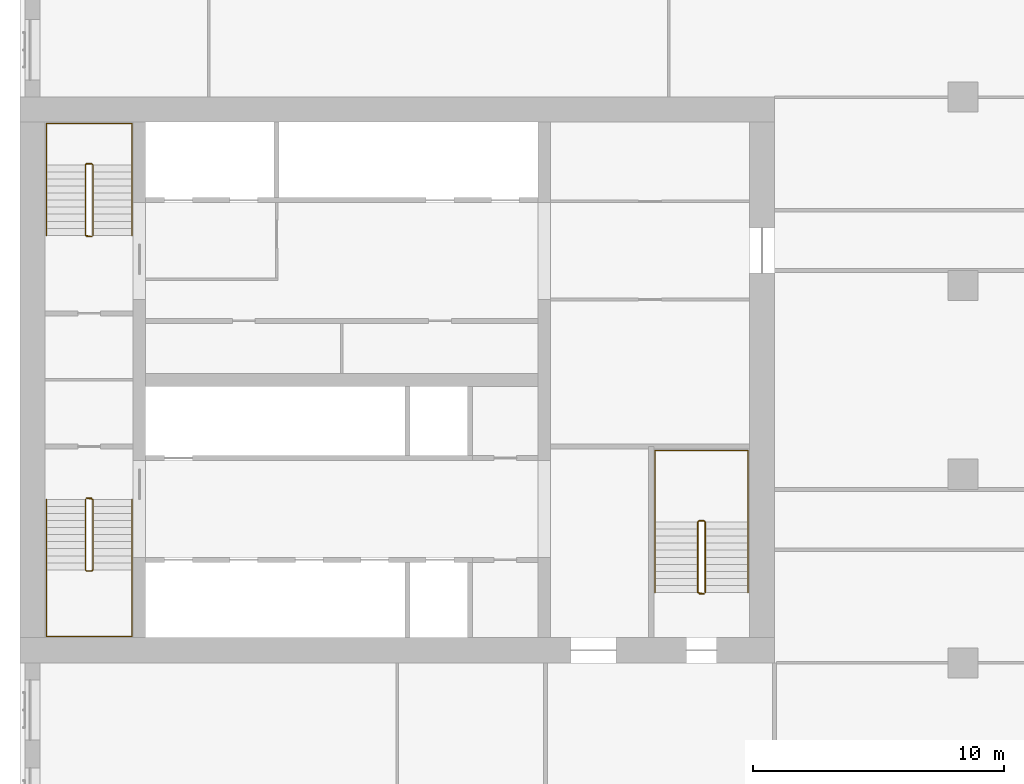
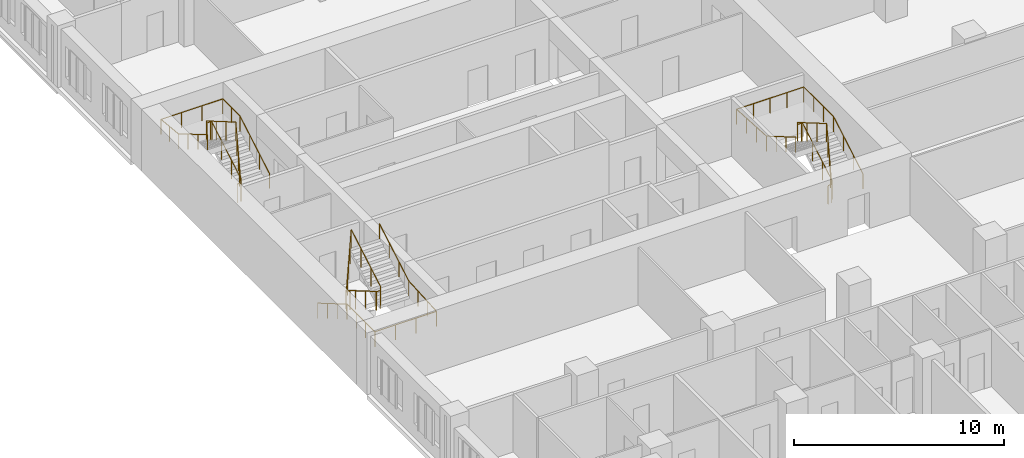
# One storey, part 15 of 15: 6 railings.
"""IFC4 building model written with IfcOpenShell, lengths in metres."""

import ifcopenshell
import ifcopenshell.guid

model = None  # the IFC model being written
_history = None  # IfcOwnerHistory: only IFC2X3 demands one
_inside = {}  # id of a spatial element -> (the spatial element, [elements in it])
_under = {}  # id of a project, library or spatial element -> (it, [spatial elements below it])
_declared = {}  # id of a project -> (the project, [libraries it declares])
_typed = {}  # id of a type object -> (the type object, [elements of that type])
_made_of = {}  # id of a material, layer set ... -> (it, [elements and type objects made of it])


def new_model(schema):
    """Start an empty IFC model of exactly this schema.

    Asked for "IFC4X3", IfcOpenShell would pick the latest addendum, in which some entities
    have other attributes; the version numbers below select the first issue.
    IFC2X3 requires an IfcOwnerHistory on every rooted entity: one is made here for all.
    """
    global model, _history
    if schema == "IFC4X3":
        model = ifcopenshell.file(schema_version=(4, 3, 0, 0))
    else:
        model = ifcopenshell.file(schema=schema)
    _inside.clear()
    _under.clear()
    _declared.clear()
    _typed.clear()
    _made_of.clear()
    _history = None
    if model.schema == "IFC2X3":
        org = make("IfcOrganization", Name="unknown")
        user = make(
            "IfcPersonAndOrganization",
            ThePerson=make("IfcPerson", FamilyName="unknown"),
            TheOrganization=org,
        )
        app = make(
            "IfcApplication",
            ApplicationDeveloper=org,
            Version="unknown",
            ApplicationFullName="unknown",
            ApplicationIdentifier="unknown",
        )
        _history = make(
            "IfcOwnerHistory",
            OwningUser=user,
            OwningApplication=app,
            ChangeAction="ADDED",
            CreationDate=0,
        )
    return model


def make(cls, **values):
    """One entity of the class cls with the attributes given. An attribute that is None is left unset."""
    return model.create_entity(
        cls, **{name: value for name, value in values.items() if value is not None}
    )


def rooted(cls, **values):
    """An entity with a GlobalId (a new one), such as an element, a storey or a relation."""
    return make(cls, GlobalId=ifcopenshell.guid.new(), OwnerHistory=_history, **values)


def si_unit(unit_type, name, prefix=None):
    """IfcSIUnit, for example si_unit("LENGTHUNIT", "METRE", prefix="MILLI")."""
    return make("IfcSIUnit", UnitType=unit_type, Prefix=prefix, Name=name)


def assignment(units):
    """IfcUnitAssignment: the units of a project."""
    return None if units is None else make("IfcUnitAssignment", Units=units)


def point(xyz):
    """IfcCartesianPoint."""
    return None if xyz is None else make("IfcCartesianPoint", Coordinates=xyz)


def direction(xyz):
    """IfcDirection."""
    return None if xyz is None else make("IfcDirection", DirectionRatios=xyz)


def frame(location, z_axis=None, x_axis=None):
    """IfcAxis2Placement3D, a coordinate frame: its origin and axes. An axis left out is left unset."""
    return make(
        "IfcAxis2Placement3D",
        Location=point(location),
        Axis=direction(z_axis),
        RefDirection=direction(x_axis),
    )


def frame_2d(location, x_axis=None):
    """IfcAxis2Placement2D, a coordinate frame in the plane: its origin and x axis."""
    return make(
        "IfcAxis2Placement2D", Location=point(location), RefDirection=direction(x_axis)
    )


def origin():
    """The frame at (0, 0, 0) with its axes left unset."""
    return frame((0.0, 0.0, 0.0))


def origin_2d():
    """The frame at (0, 0) in the plane with its x axis left unset."""
    return frame_2d((0.0, 0.0))


def place(relative_to, where):
    """IfcLocalPlacement: puts the frame where relative to a parent placement (None: the world)."""
    return make(
        "IfcLocalPlacement", PlacementRelTo=relative_to, RelativePlacement=where
    )


def context(
    kind, dimensions, precision=None, world=None, true_north=None, identifier=None
):
    """IfcGeometricRepresentationContext, for example the 3D "Model" context."""
    return make(
        "IfcGeometricRepresentationContext",
        ContextIdentifier=identifier,
        ContextType=kind,
        CoordinateSpaceDimension=dimensions,
        Precision=precision,
        WorldCoordinateSystem=world,
        TrueNorth=true_north,
    )


def subcontext(parent, identifier, kind, view, scale=None):
    """IfcGeometricRepresentationSubContext, for example "Body" below "Model"."""
    return make(
        "IfcGeometricRepresentationSubContext",
        ContextIdentifier=identifier,
        ContextType=kind,
        ParentContext=parent,
        TargetScale=scale,
        TargetView=view,
    )


def project(units=None, contexts=None):
    """IfcProject with its units and contexts."""
    return rooted(
        "IfcProject",
        Name="project",
        RepresentationContexts=contexts,
        UnitsInContext=assignment(units),
    )


def spatial(cls, under=None, at=None, **own):
    """A site, building, storey or space (cls), placed at a placement, below another one or the project."""
    s = rooted(cls, ObjectPlacement=at, **own)
    if under is not None:
        _under.setdefault(under.id(), (under, []))[1].append(s)
    return s


def profile(cls, at=None, kind="AREA", **sizes):
    """A parametric profile (cls). Its sizes go by their IFC names, for example OverallWidth=200.0."""
    return make(cls, ProfileType=kind, Position=at, **sizes)


def circle(**sizes):
    """IfcCircleProfileDef."""
    return profile("IfcCircleProfileDef", **sizes)


def extrude(swept, where, along, depth):
    """IfcExtrudedAreaSolid: the profile swept, set in the frame where, extruded along a direction by depth."""
    return make(
        "IfcExtrudedAreaSolid",
        SweptArea=swept,
        Position=where,
        ExtrudedDirection=direction(along),
        Depth=depth,
    )


def shape(context_of_items, identifier, shape_type, items):
    """IfcShapeRepresentation: the items that make up one representation, for example the "Body"."""
    return make(
        "IfcShapeRepresentation",
        ContextOfItems=context_of_items,
        RepresentationIdentifier=identifier,
        RepresentationType=shape_type,
        Items=items,
    )


def material(Name=None, Category=None):
    """IfcMaterial."""
    return make("IfcMaterial", Name=Name, Category=Category)


def made_of(thing, what):
    """Note that an element or type object is made of a material, layer set ...; save() writes the relation."""
    if what is not None:
        _made_of.setdefault(what.id(), (what, []))[1].append(thing)
    return thing


def type_object(cls, material=None, **own):
    """A type object (cls), such as IfcWallType, which elements share."""
    return made_of(rooted(cls, **own), material)


def element(
    cls,
    number,
    at=None,
    inside=None,
    cuts=None,
    type_object=None,
    material=None,
    context=None,
    identifier="Body",
    shape_type=None,
    held_by="IfcProductDefinitionShape",
    body=None,
    shapes=None,
    **own,
):
    """One element of the class cls, such as IfcWall. Its Tag is "e" and its number.

    at: its placement. inside: the storey or other place that contains it. cuts: it is an
    opening in that element (IfcRelVoidsElement). A single representation is given by context,
    identifier, shape_type and body (its items); several are given by shapes. held_by: the class
    of the entity that holds the representations. save() writes the other relations.
    """
    e = rooted(cls, Tag="e%d" % number, ObjectPlacement=at, **own)
    if body is not None:
        shapes = [shape(context, identifier, shape_type, body)]
    if shapes is not None:
        e.Representation = make(held_by, Representations=shapes)
    if inside is not None:
        _inside.setdefault(inside.id(), (inside, []))[1].append(e)
    if cuts is not None:
        rooted(
            "IfcRelVoidsElement", RelatingBuildingElement=cuts, RelatedOpeningElement=e
        )
    if type_object is not None:
        _typed.setdefault(type_object.id(), (type_object, []))[1].append(e)
    return made_of(e, material)


def aggregate(whole, parts):
    """IfcRelAggregates: a whole, such as a stair, and the parts it consists of."""
    return rooted("IfcRelAggregates", RelatingObject=whole, RelatedObjects=parts)


def save(model, path):
    """Write the relations noted so far, then the file.

    IfcRelAggregates (storeys below a building ...), IfcRelContainedInSpatialStructure (elements
    in a storey), IfcRelDefinesByType, IfcRelAssociatesMaterial and IfcRelDeclares: one each for
    every whole, place, type object, material and project.
    """
    for whole, parts in _under.values():
        aggregate(whole, parts)
    for where, things in _inside.values():
        rooted(
            "IfcRelContainedInSpatialStructure",
            RelatedElements=things,
            RelatingStructure=where,
        )
    for kind, things in _typed.values():
        rooted("IfcRelDefinesByType", RelatedObjects=things, RelatingType=kind)
    for what, things in _made_of.values():
        rooted("IfcRelAssociatesMaterial", RelatedObjects=things, RelatingMaterial=what)
    for by, libraries in _declared.values():
        rooted("IfcRelDeclares", RelatingContext=by, RelatedDefinitions=libraries)
    model.write(path)


model = new_model("IFC4")

# Units and contexts
model_context = context("Model", 3, precision=1e-05, world=origin(), true_north=direction((0.0, 1.0)))
body_context = subcontext(model_context, "Body", "Model", "MODEL_VIEW")
ifc_project = project(units=[si_unit("LENGTHUNIT", "METRE"), si_unit("AREAUNIT", "SQUARE_METRE"), si_unit("VOLUMEUNIT", "CUBIC_METRE"), si_unit("PLANEANGLEUNIT", "RADIAN"), si_unit("MASSUNIT", "GRAM", prefix="KILO")], contexts=[model_context])

# Site, building, storey
site_placement = place(None, origin())
site = spatial("IfcSite", under=ifc_project, at=site_placement, CompositionType="ELEMENT")
building_placement = place(site_placement, origin())
building = spatial("IfcBuilding", under=site, at=building_placement, Name="Tamorin Gate", CompositionType="ELEMENT")
storey_placement = place(building_placement, frame((0.0, 0.0, 62.800048828125)))
storey = spatial("IfcBuildingStorey", under=building, at=storey_placement, Name="L14", CompositionType="ELEMENT", Elevation=62.800048828125)

# Railings
ifc_material_1 = material(Name="Painted steel balustrade", Category="steel")
railing_type_1 = type_object("IfcRailingType", Name="Stair guard 1100", PredefinedType="GUARDRAIL", material=ifc_material_1)
railing_1_placement = place(storey_placement, frame((32.60009765625, 66.5, 0.16357421875)))
element("IfcRailing", 1, at=railing_1_placement, inside=storey, type_object=railing_type_1, Name="L14 ST1 stair guard 1", PredefinedType="GUARDRAIL", context=body_context, shape_type="SweptSolid", body=[
    extrude(circle(Radius=0.02392578125, at=origin_2d()), frame((0.0, 0.0, 1.076171875), z_axis=(0.0, -0.863360870873, 0.504586966384), x_axis=(1.0, 0.0, 0.0)), (0.0, 0.0, 1.0), 3.2431640625),
    extrude(circle(Radius=0.02392578125, at=origin_2d()), frame((0.0, -2.800048828125, 2.71240234375), z_axis=(0.705375805398, -0.708833529934, 0.0), x_axis=(0.708833529934, 0.705375805398, 0.0)), (0.0, 0.0, 1.0), 0.070556640625),
    extrude(circle(Radius=0.02392578125, at=origin_2d()), frame((0.0498046875, -2.85009765625, 2.71240234375), z_axis=(1.0, 0.0, 0.0), x_axis=(0.0, 1.0, 0.0)), (0.0, 0.0, 1.0), 0.2001953125),
    extrude(circle(Radius=0.02392578125, at=origin_2d()), frame((0.25, -2.85009765625, 2.71240234375), z_axis=(0.279546231943, 0.280916556609, 0.91811752648), x_axis=(-0.708833529934, 0.705375805398, 0.0)), (0.0, 0.0, 1.0), 0.17822265625),
    extrude(circle(Radius=0.02392578125, at=origin_2d()), frame((0.2998046875, -2.800048828125, 2.8759765625), z_axis=(0.0, 0.863393664356, 0.504530851732), x_axis=(-1.0, 0.0, 0.0)), (0.0, 0.0, 1.0), 3.2431640625),
    extrude(circle(Radius=0.02392578125, at=origin_2d()), frame((0.2998046875, 0.0, 4.51220703125), z_axis=(-0.069273741535, 0.013868278335, -0.997501288014), x_axis=(-0.196300278283, -0.98054382908, 0.0)), (0.0, 0.0, 1.0), 3.60888671875),
    extrude(circle(Radius=0.02392578125, at=origin_2d()), frame((0.0498046875, 0.050048828125, 0.91259765625), z_axis=(1.0, 0.0, 0.0), x_axis=(0.0, 1.0, 0.0)), (0.0, 0.0, 1.0), 0.2001953125),
    extrude(circle(Radius=0.02099609375, at=origin_2d()), origin(), (0.0, 0.0, 1.0), 1.052001953125),
    extrude(circle(Radius=0.02099609375, at=origin_2d()), frame((0.0, -0.933349609375, 0.54541015625)), (0.0, 0.0, 1.0), 1.052001953125),
    extrude(circle(Radius=0.02099609375, at=origin_2d()), frame((0.0, -1.86669921875, 1.091064453125)), (0.0, 0.0, 1.0), 1.052001953125),
    extrude(circle(Radius=0.02099609375, at=origin_2d()), frame((0.0, -2.800048828125, 1.636474609375)), (0.0, 0.0, 1.0), 1.052001953125),
    extrude(circle(Radius=0.02099609375, at=origin_2d()), frame((0.0498046875, -2.85009765625, 1.636474609375)), (0.0, 0.0, 1.0), 1.052001953125),
    extrude(circle(Radius=0.02099609375, at=origin_2d()), frame((0.25, -2.85009765625, 1.636474609375)), (0.0, 0.0, 1.0), 1.052001953125),
    extrude(circle(Radius=0.02099609375, at=origin_2d()), frame((0.2998046875, -2.800048828125, 1.800048828125)), (0.0, 0.0, 1.0), 1.052001953125),
    extrude(circle(Radius=0.02099609375, at=origin_2d()), frame((0.2998046875, -1.86669921875, 2.345458984375)), (0.0, 0.0, 1.0), 1.052001953125),
    extrude(circle(Radius=0.02099609375, at=origin_2d()), frame((0.2998046875, -0.933349609375, 2.890869140625)), (0.0, 0.0, 1.0), 1.052001953125),
    extrude(circle(Radius=0.02099609375, at=origin_2d()), frame((0.2998046875, 0.0, 3.436279296875)), (0.0, 0.0, 1.0), 1.052001953125),
    extrude(circle(Radius=0.02099609375, at=origin_2d()), frame((0.2373046875, 0.012451171875, 2.536376953125)), (0.0, 0.0, 1.0), 1.052001953125),
    extrude(circle(Radius=0.02099609375, at=origin_2d()), frame((0.1748046875, 0.02490234375, 1.63623046875)), (0.0, 0.0, 1.0), 1.052001953125),
    extrude(circle(Radius=0.02099609375, at=origin_2d()), frame((0.1123046875, 0.03759765625, 0.736328125)), (0.0, 0.0, 1.0), 1.052001953125),
    extrude(circle(Radius=0.02099609375, at=origin_2d()), frame((0.0498046875, 0.050048828125, -0.16357421875)), (0.0, 0.0, 1.0), 1.052001953125),
    extrude(circle(Radius=0.02099609375, at=origin_2d()), frame((0.25, 0.050048828125, -0.16357421875)), (0.0, 0.0, 1.0), 1.052001953125),
])
railing_2_placement = place(storey_placement, frame((32.89990234375, 77.0, 0.16357421875)))
element("IfcRailing", 2, at=railing_2_placement, inside=storey, type_object=railing_type_1, Name="L14 ST2 stair guard 1", PredefinedType="GUARDRAIL", context=body_context, shape_type="SweptSolid", body=[
    extrude(circle(Radius=0.02392578125, at=origin_2d()), frame((0.0, 0.0, 1.076171875), z_axis=(0.0, 0.863360870873, 0.504586966384), x_axis=(-1.0, 0.0, 0.0)), (0.0, 0.0, 1.0), 3.2431640625),
    extrude(circle(Radius=0.02392578125, at=origin_2d()), frame((0.0, 2.800048828125, 2.71240234375), z_axis=(-0.705375805398, 0.708833529934, 0.0), x_axis=(-0.708833529934, -0.705375805398, 0.0)), (0.0, 0.0, 1.0), 0.070556640625),
    extrude(circle(Radius=0.02392578125, at=origin_2d()), frame((-0.0498046875, 2.85009765625, 2.71240234375), z_axis=(-1.0, 0.0, 0.0), x_axis=(0.0, -1.0, 0.0)), (0.0, 0.0, 1.0), 0.2001953125),
    extrude(circle(Radius=0.02392578125, at=origin_2d()), frame((-0.25, 2.85009765625, 2.71240234375), z_axis=(-0.279546231943, -0.280916556609, 0.91811752648), x_axis=(0.708833529934, -0.705375805398, 0.0)), (0.0, 0.0, 1.0), 0.17822265625),
    extrude(circle(Radius=0.02392578125, at=origin_2d()), frame((-0.2998046875, 2.800048828125, 2.8759765625), z_axis=(0.0, -0.863393664356, 0.504530851732), x_axis=(1.0, 0.0, 0.0)), (0.0, 0.0, 1.0), 3.2431640625),
    extrude(circle(Radius=0.02392578125, at=origin_2d()), frame((-0.2998046875, 0.0, 4.51220703125), z_axis=(0.069273741535, -0.013868278335, -0.997501288014), x_axis=(0.196300278283, 0.98054382908, 0.0)), (0.0, 0.0, 1.0), 3.60888671875),
    extrude(circle(Radius=0.02392578125, at=origin_2d()), frame((-0.0498046875, -0.050048828125, 0.91259765625), z_axis=(-1.0, 0.0, 0.0), x_axis=(0.0, -1.0, 0.0)), (0.0, 0.0, 1.0), 0.2001953125),
    extrude(circle(Radius=0.02099609375, at=origin_2d()), origin(), (0.0, 0.0, 1.0), 1.052001953125),
    extrude(circle(Radius=0.02099609375, at=origin_2d()), frame((0.0, 0.933349609375, 0.54541015625)), (0.0, 0.0, 1.0), 1.052001953125),
    extrude(circle(Radius=0.02099609375, at=origin_2d()), frame((0.0, 1.86669921875, 1.091064453125)), (0.0, 0.0, 1.0), 1.052001953125),
    extrude(circle(Radius=0.02099609375, at=origin_2d()), frame((0.0, 2.800048828125, 1.636474609375)), (0.0, 0.0, 1.0), 1.052001953125),
    extrude(circle(Radius=0.02099609375, at=origin_2d()), frame((-0.0498046875, 2.85009765625, 1.636474609375)), (0.0, 0.0, 1.0), 1.052001953125),
    extrude(circle(Radius=0.02099609375, at=origin_2d()), frame((-0.25, 2.85009765625, 1.636474609375)), (0.0, 0.0, 1.0), 1.052001953125),
    extrude(circle(Radius=0.02099609375, at=origin_2d()), frame((-0.2998046875, 2.800048828125, 1.800048828125)), (0.0, 0.0, 1.0), 1.052001953125),
    extrude(circle(Radius=0.02099609375, at=origin_2d()), frame((-0.2998046875, 1.86669921875, 2.345458984375)), (0.0, 0.0, 1.0), 1.052001953125),
    extrude(circle(Radius=0.02099609375, at=origin_2d()), frame((-0.2998046875, 0.933349609375, 2.890869140625)), (0.0, 0.0, 1.0), 1.052001953125),
    extrude(circle(Radius=0.02099609375, at=origin_2d()), frame((-0.2998046875, 0.0, 3.436279296875)), (0.0, 0.0, 1.0), 1.052001953125),
    extrude(circle(Radius=0.02099609375, at=origin_2d()), frame((-0.2373046875, -0.012451171875, 2.536376953125)), (0.0, 0.0, 1.0), 1.052001953125),
    extrude(circle(Radius=0.02099609375, at=origin_2d()), frame((-0.1748046875, -0.02490234375, 1.63623046875)), (0.0, 0.0, 1.0), 1.052001953125),
    extrude(circle(Radius=0.02099609375, at=origin_2d()), frame((-0.1123046875, -0.03759765625, 0.736328125)), (0.0, 0.0, 1.0), 1.052001953125),
    extrude(circle(Radius=0.02099609375, at=origin_2d()), frame((-0.0498046875, -0.050048828125, -0.16357421875)), (0.0, 0.0, 1.0), 1.052001953125),
    extrude(circle(Radius=0.02099609375, at=origin_2d()), frame((-0.25, -0.050048828125, -0.16357421875)), (0.0, 0.0, 1.0), 1.052001953125),
])
railing_3_placement = place(storey_placement, frame((57.25, 62.800048828125, 0.16357421875)))
element("IfcRailing", 3, at=railing_3_placement, inside=storey, type_object=railing_type_1, Name="L14 ST3 stair guard 1", PredefinedType="GUARDRAIL", context=body_context, shape_type="SweptSolid", body=[
    extrude(circle(Radius=0.02392578125, at=origin_2d()), frame((0.0, 0.0, 1.076171875), z_axis=(0.0, 0.863360870873, 0.504586966384), x_axis=(-1.0, 0.0, 0.0)), (0.0, 0.0, 1.0), 3.2431640625),
    extrude(circle(Radius=0.02392578125, at=origin_2d()), frame((0.0, 2.800048828125, 2.71240234375), z_axis=(-0.708833529934, 0.705375805398, 0.0), x_axis=(-0.705375805398, -0.708833529934, 0.0)), (0.0, 0.0, 1.0), 0.070556640625),
    extrude(circle(Radius=0.02392578125, at=origin_2d()), frame((-0.050048828125, 2.849853515625, 2.71240234375), z_axis=(-1.0, 0.0, 0.0), x_axis=(0.0, -1.0, 0.0)), (0.0, 0.0, 1.0), 0.199951171875),
    extrude(circle(Radius=0.02392578125, at=origin_2d()), frame((-0.25, 2.849853515625, 2.71240234375), z_axis=(-0.280916556609, -0.279546231943, 0.91811752648), x_axis=(0.705375805398, -0.708833529934, 0.0)), (0.0, 0.0, 1.0), 0.17822265625),
    extrude(circle(Radius=0.02392578125, at=origin_2d()), frame((-0.300048828125, 2.800048828125, 2.8759765625), z_axis=(0.0, -0.863393664356, 0.504530851732), x_axis=(1.0, 0.0, 0.0)), (0.0, 0.0, 1.0), 3.2431640625),
    extrude(circle(Radius=0.02392578125, at=origin_2d()), frame((-0.300048828125, 0.0, 4.51220703125), z_axis=(0.069273741535, -0.013868278335, -0.997501288014), x_axis=(0.196300278283, 0.98054382908, 0.0)), (0.0, 0.0, 1.0), 3.60888671875),
    extrude(circle(Radius=0.02392578125, at=origin_2d()), frame((-0.050048828125, -0.050048828125, 0.91259765625), z_axis=(-1.0, 0.0, 0.0), x_axis=(0.0, -1.0, 0.0)), (0.0, 0.0, 1.0), 0.199951171875),
    extrude(circle(Radius=0.02099609375, at=origin_2d()), origin(), (0.0, 0.0, 1.0), 1.052001953125),
    extrude(circle(Radius=0.02099609375, at=origin_2d()), frame((0.0, 0.933349609375, 0.54541015625)), (0.0, 0.0, 1.0), 1.052001953125),
    extrude(circle(Radius=0.02099609375, at=origin_2d()), frame((0.0, 1.86669921875, 1.091064453125)), (0.0, 0.0, 1.0), 1.052001953125),
    extrude(circle(Radius=0.02099609375, at=origin_2d()), frame((0.0, 2.800048828125, 1.636474609375)), (0.0, 0.0, 1.0), 1.052001953125),
    extrude(circle(Radius=0.02099609375, at=origin_2d()), frame((-0.050048828125, 2.849853515625, 1.636474609375)), (0.0, 0.0, 1.0), 1.052001953125),
    extrude(circle(Radius=0.02099609375, at=origin_2d()), frame((-0.25, 2.849853515625, 1.636474609375)), (0.0, 0.0, 1.0), 1.052001953125),
    extrude(circle(Radius=0.02099609375, at=origin_2d()), frame((-0.300048828125, 2.800048828125, 1.800048828125)), (0.0, 0.0, 1.0), 1.052001953125),
    extrude(circle(Radius=0.02099609375, at=origin_2d()), frame((-0.300048828125, 1.86669921875, 2.345458984375)), (0.0, 0.0, 1.0), 1.052001953125),
    extrude(circle(Radius=0.02099609375, at=origin_2d()), frame((-0.300048828125, 0.933349609375, 2.890869140625)), (0.0, 0.0, 1.0), 1.052001953125),
    extrude(circle(Radius=0.02099609375, at=origin_2d()), frame((-0.300048828125, 0.0, 3.436279296875)), (0.0, 0.0, 1.0), 1.052001953125),
    extrude(circle(Radius=0.02099609375, at=origin_2d()), frame((-0.237548828125, -0.012451171875, 2.536376953125)), (0.0, 0.0, 1.0), 1.052001953125),
    extrude(circle(Radius=0.02099609375, at=origin_2d()), frame((-0.175048828125, -0.02490234375, 1.63623046875)), (0.0, 0.0, 1.0), 1.052001953125),
    extrude(circle(Radius=0.02099609375, at=origin_2d()), frame((-0.112548828125, -0.03759765625, 0.736328125)), (0.0, 0.0, 1.0), 1.052001953125),
    extrude(circle(Radius=0.02099609375, at=origin_2d()), frame((-0.050048828125, -0.050048828125, -0.16357421875)), (0.0, 0.0, 1.0), 1.052001953125),
    extrude(circle(Radius=0.02099609375, at=origin_2d()), frame((-0.25, -0.050048828125, -0.16357421875)), (0.0, 0.0, 1.0), 1.052001953125),
])
ifc_material_2 = material(Name="Painted steel handrail", Category="steel")
railing_type_2 = type_object("IfcRailingType", Name="Stair handrail 900", PredefinedType="HANDRAIL", material=ifc_material_2)
railing_4_placement = place(storey_placement, frame((31.050048828125, 66.5, 0.16357421875)))
element("IfcRailing", 4, at=railing_4_placement, inside=storey, type_object=railing_type_2, Name="L14 ST1 stair handrail 1", PredefinedType="HANDRAIL", context=body_context, shape_type="SweptSolid", body=[
    extrude(circle(Radius=0.02392578125, at=origin_2d()), frame((0.0, 0.0, 0.8759765625), z_axis=(0.0, -0.863360870873, 0.504586966384), x_axis=(1.0, 0.0, 0.0)), (0.0, 0.0, 1.0), 3.2431640625),
    extrude(circle(Radius=0.02392578125, at=origin_2d()), frame((0.0, -2.800048828125, 2.51220703125), z_axis=(0.0, -1.0, 0.0), x_axis=(1.0, 0.0, 0.0)), (0.0, 0.0, 1.0), 2.64990234375),
    extrude(circle(Radius=0.02392578125, at=origin_2d()), frame((0.0, -5.449951171875, 2.51220703125), z_axis=(1.0, 0.0, 0.0), x_axis=(0.0, 1.0, 0.0)), (0.0, 0.0, 1.0), 3.39990234375),
    extrude(circle(Radius=0.02392578125, at=origin_2d()), frame((3.39990234375, -5.449951171875, 2.51220703125), z_axis=(0.0, 0.998100230056, 0.061611125312), x_axis=(-1.0, 0.0, 0.0)), (0.0, 0.0, 1.0), 2.655029296875),
    extrude(circle(Radius=0.02392578125, at=origin_2d()), frame((3.39990234375, -2.800048828125, 2.67578125), z_axis=(0.0, 0.863393664356, 0.504530851732), x_axis=(-1.0, 0.0, 0.0)), (0.0, 0.0, 1.0), 3.2431640625),
    extrude(circle(Radius=0.02099609375, at=origin_2d()), origin(), (0.0, 0.0, 1.0), 0.851806640625),
    extrude(circle(Radius=0.02099609375, at=origin_2d()), frame((0.0, -0.933349609375, 0.54541015625)), (0.0, 0.0, 1.0), 0.851806640625),
    extrude(circle(Radius=0.02099609375, at=origin_2d()), frame((0.0, -1.86669921875, 1.091064453125)), (0.0, 0.0, 1.0), 0.851806640625),
    extrude(circle(Radius=0.02099609375, at=origin_2d()), frame((0.0, -2.800048828125, 1.636474609375)), (0.0, 0.0, 1.0), 0.851806640625),
    extrude(circle(Radius=0.02099609375, at=origin_2d()), frame((0.0, -3.683349609375, 1.636474609375)), (0.0, 0.0, 1.0), 0.851806640625),
    extrude(circle(Radius=0.02099609375, at=origin_2d()), frame((0.0, -4.566650390625, 1.636474609375)), (0.0, 0.0, 1.0), 0.851806640625),
    extrude(circle(Radius=0.02099609375, at=origin_2d()), frame((0.0, -5.449951171875, 1.636474609375)), (0.0, 0.0, 1.0), 0.851806640625),
    extrude(circle(Radius=0.02099609375, at=origin_2d()), frame((1.13330078125, -5.449951171875, 1.636474609375)), (0.0, 0.0, 1.0), 0.851806640625),
    extrude(circle(Radius=0.02099609375, at=origin_2d()), frame((2.2666015625, -5.449951171875, 1.636474609375)), (0.0, 0.0, 1.0), 0.851806640625),
    extrude(circle(Radius=0.02099609375, at=origin_2d()), frame((3.39990234375, -5.449951171875, 1.636474609375)), (0.0, 0.0, 1.0), 0.851806640625),
    extrude(circle(Radius=0.02099609375, at=origin_2d()), frame((3.39990234375, -4.566650390625, 1.69091796875)), (0.0, 0.0, 1.0), 0.851806640625),
    extrude(circle(Radius=0.02099609375, at=origin_2d()), frame((3.39990234375, -3.683349609375, 1.74560546875)), (0.0, 0.0, 1.0), 0.851806640625),
    extrude(circle(Radius=0.02099609375, at=origin_2d()), frame((3.39990234375, -2.800048828125, 1.800048828125)), (0.0, 0.0, 1.0), 0.851806640625),
    extrude(circle(Radius=0.02099609375, at=origin_2d()), frame((3.39990234375, -1.86669921875, 2.345458984375)), (0.0, 0.0, 1.0), 0.851806640625),
    extrude(circle(Radius=0.02099609375, at=origin_2d()), frame((3.39990234375, -0.933349609375, 2.890869140625)), (0.0, 0.0, 1.0), 0.851806640625),
    extrude(circle(Radius=0.02099609375, at=origin_2d()), frame((3.39990234375, 0.0, 3.436279296875)), (0.0, 0.0, 1.0), 0.851806640625),
])
railing_5_placement = place(storey_placement, frame((34.449951171875, 77.0, 0.16357421875)))
element("IfcRailing", 5, at=railing_5_placement, inside=storey, type_object=railing_type_2, Name="L14 ST2 stair handrail 1", PredefinedType="HANDRAIL", context=body_context, shape_type="SweptSolid", body=[
    extrude(circle(Radius=0.02392578125, at=origin_2d()), frame((0.0, 0.0, 0.8759765625), z_axis=(0.0, 0.863360870873, 0.504586966384), x_axis=(-1.0, 0.0, 0.0)), (0.0, 0.0, 1.0), 3.2431640625),
    extrude(circle(Radius=0.02392578125, at=origin_2d()), frame((0.0, 2.800048828125, 2.51220703125), z_axis=(0.0, 1.0, 0.0), x_axis=(-1.0, 0.0, 0.0)), (0.0, 0.0, 1.0), 1.64990234375),
    extrude(circle(Radius=0.02392578125, at=origin_2d()), frame((0.0, 4.449951171875, 2.51220703125), z_axis=(-1.0, 0.0, 0.0), x_axis=(0.0, -1.0, 0.0)), (0.0, 0.0, 1.0), 3.39990234375),
    extrude(circle(Radius=0.02392578125, at=origin_2d()), frame((-3.39990234375, 4.449951171875, 2.51220703125), z_axis=(0.0, -0.995121390814, 0.098658084026), x_axis=(1.0, 0.0, 0.0)), (0.0, 0.0, 1.0), 1.657958984375),
    extrude(circle(Radius=0.02392578125, at=origin_2d()), frame((-3.39990234375, 2.800048828125, 2.67578125), z_axis=(0.0, -0.863393664356, 0.504530851732), x_axis=(1.0, 0.0, 0.0)), (0.0, 0.0, 1.0), 3.2431640625),
    extrude(circle(Radius=0.02099609375, at=origin_2d()), origin(), (0.0, 0.0, 1.0), 0.851806640625),
    extrude(circle(Radius=0.02099609375, at=origin_2d()), frame((0.0, 0.933349609375, 0.54541015625)), (0.0, 0.0, 1.0), 0.851806640625),
    extrude(circle(Radius=0.02099609375, at=origin_2d()), frame((0.0, 1.86669921875, 1.091064453125)), (0.0, 0.0, 1.0), 0.851806640625),
    extrude(circle(Radius=0.02099609375, at=origin_2d()), frame((0.0, 2.800048828125, 1.636474609375)), (0.0, 0.0, 1.0), 0.851806640625),
    extrude(circle(Radius=0.02099609375, at=origin_2d()), frame((0.0, 3.625, 1.636474609375)), (0.0, 0.0, 1.0), 0.851806640625),
    extrude(circle(Radius=0.02099609375, at=origin_2d()), frame((0.0, 4.449951171875, 1.636474609375)), (0.0, 0.0, 1.0), 0.851806640625),
    extrude(circle(Radius=0.02099609375, at=origin_2d()), frame((-1.13330078125, 4.449951171875, 1.636474609375)), (0.0, 0.0, 1.0), 0.851806640625),
    extrude(circle(Radius=0.02099609375, at=origin_2d()), frame((-2.2666015625, 4.449951171875, 1.636474609375)), (0.0, 0.0, 1.0), 0.851806640625),
    extrude(circle(Radius=0.02099609375, at=origin_2d()), frame((-3.39990234375, 4.449951171875, 1.636474609375)), (0.0, 0.0, 1.0), 0.851806640625),
    extrude(circle(Radius=0.02099609375, at=origin_2d()), frame((-3.39990234375, 3.625, 1.71826171875)), (0.0, 0.0, 1.0), 0.851806640625),
    extrude(circle(Radius=0.02099609375, at=origin_2d()), frame((-3.39990234375, 2.800048828125, 1.800048828125)), (0.0, 0.0, 1.0), 0.851806640625),
    extrude(circle(Radius=0.02099609375, at=origin_2d()), frame((-3.39990234375, 1.86669921875, 2.345458984375)), (0.0, 0.0, 1.0), 0.851806640625),
    extrude(circle(Radius=0.02099609375, at=origin_2d()), frame((-3.39990234375, 0.933349609375, 2.890869140625)), (0.0, 0.0, 1.0), 0.851806640625),
    extrude(circle(Radius=0.02099609375, at=origin_2d()), frame((-3.39990234375, 0.0, 3.436279296875)), (0.0, 0.0, 1.0), 0.851806640625),
])
railing_6_placement = place(storey_placement, frame((58.949951171875, 62.800048828125, 0.16357421875)))
element("IfcRailing", 6, at=railing_6_placement, inside=storey, type_object=railing_type_2, Name="L14 ST3 stair handrail 1", PredefinedType="HANDRAIL", context=body_context, shape_type="SweptSolid", body=[
    extrude(circle(Radius=0.02392578125, at=origin_2d()), frame((0.0, 0.0, 0.8759765625), z_axis=(0.0, 0.863360870873, 0.504586966384), x_axis=(-1.0, 0.0, 0.0)), (0.0, 0.0, 1.0), 3.2431640625),
    extrude(circle(Radius=0.02392578125, at=origin_2d()), frame((0.0, 2.800048828125, 2.51220703125), z_axis=(0.0, 1.0, 0.0), x_axis=(-1.0, 0.0, 0.0)), (0.0, 0.0, 1.0), 2.849853515625),
    extrude(circle(Radius=0.02392578125, at=origin_2d()), frame((0.0, 5.64990234375, 2.51220703125), z_axis=(-1.0, 0.0, 0.0), x_axis=(0.0, -1.0, 0.0)), (0.0, 0.0, 1.0), 3.699951171875),
    extrude(circle(Radius=0.02392578125, at=origin_2d()), frame((-3.699951171875, 5.64990234375, 2.51220703125), z_axis=(0.0, -0.998356827416, 0.057303098978), x_axis=(1.0, 0.0, 0.0)), (0.0, 0.0, 1.0), 2.8544921875),
    extrude(circle(Radius=0.02392578125, at=origin_2d()), frame((-3.699951171875, 2.800048828125, 2.67578125), z_axis=(0.0, -0.863393664356, 0.504530851732), x_axis=(1.0, 0.0, 0.0)), (0.0, 0.0, 1.0), 3.2431640625),
    extrude(circle(Radius=0.02099609375, at=origin_2d()), origin(), (0.0, 0.0, 1.0), 0.851806640625),
    extrude(circle(Radius=0.02099609375, at=origin_2d()), frame((0.0, 0.933349609375, 0.54541015625)), (0.0, 0.0, 1.0), 0.851806640625),
    extrude(circle(Radius=0.02099609375, at=origin_2d()), frame((0.0, 1.86669921875, 1.091064453125)), (0.0, 0.0, 1.0), 0.851806640625),
    extrude(circle(Radius=0.02099609375, at=origin_2d()), frame((0.0, 2.800048828125, 1.636474609375)), (0.0, 0.0, 1.0), 0.851806640625),
    extrude(circle(Radius=0.02099609375, at=origin_2d()), frame((0.0, 3.75, 1.636474609375)), (0.0, 0.0, 1.0), 0.851806640625),
    extrude(circle(Radius=0.02099609375, at=origin_2d()), frame((0.0, 4.699951171875, 1.636474609375)), (0.0, 0.0, 1.0), 0.851806640625),
    extrude(circle(Radius=0.02099609375, at=origin_2d()), frame((0.0, 5.64990234375, 1.636474609375)), (0.0, 0.0, 1.0), 0.851806640625),
    extrude(circle(Radius=0.02099609375, at=origin_2d()), frame((-0.925048828125, 5.64990234375, 1.636474609375)), (0.0, 0.0, 1.0), 0.851806640625),
    extrude(circle(Radius=0.02099609375, at=origin_2d()), frame((-1.85009765625, 5.64990234375, 1.636474609375)), (0.0, 0.0, 1.0), 0.851806640625),
    extrude(circle(Radius=0.02099609375, at=origin_2d()), frame((-2.77490234375, 5.64990234375, 1.636474609375)), (0.0, 0.0, 1.0), 0.851806640625),
    extrude(circle(Radius=0.02099609375, at=origin_2d()), frame((-3.699951171875, 5.64990234375, 1.636474609375)), (0.0, 0.0, 1.0), 0.851806640625),
    extrude(circle(Radius=0.02099609375, at=origin_2d()), frame((-3.699951171875, 4.699951171875, 1.69091796875)), (0.0, 0.0, 1.0), 0.851806640625),
    extrude(circle(Radius=0.02099609375, at=origin_2d()), frame((-3.699951171875, 3.75, 1.74560546875)), (0.0, 0.0, 1.0), 0.851806640625),
    extrude(circle(Radius=0.02099609375, at=origin_2d()), frame((-3.699951171875, 2.800048828125, 1.800048828125)), (0.0, 0.0, 1.0), 0.851806640625),
    extrude(circle(Radius=0.02099609375, at=origin_2d()), frame((-3.699951171875, 1.86669921875, 2.345458984375)), (0.0, 0.0, 1.0), 0.851806640625),
    extrude(circle(Radius=0.02099609375, at=origin_2d()), frame((-3.699951171875, 0.933349609375, 2.890869140625)), (0.0, 0.0, 1.0), 0.851806640625),
    extrude(circle(Radius=0.02099609375, at=origin_2d()), frame((-3.699951171875, 0.0, 3.436279296875)), (0.0, 0.0, 1.0), 0.851806640625),
])

save(model, "model.ifc")
